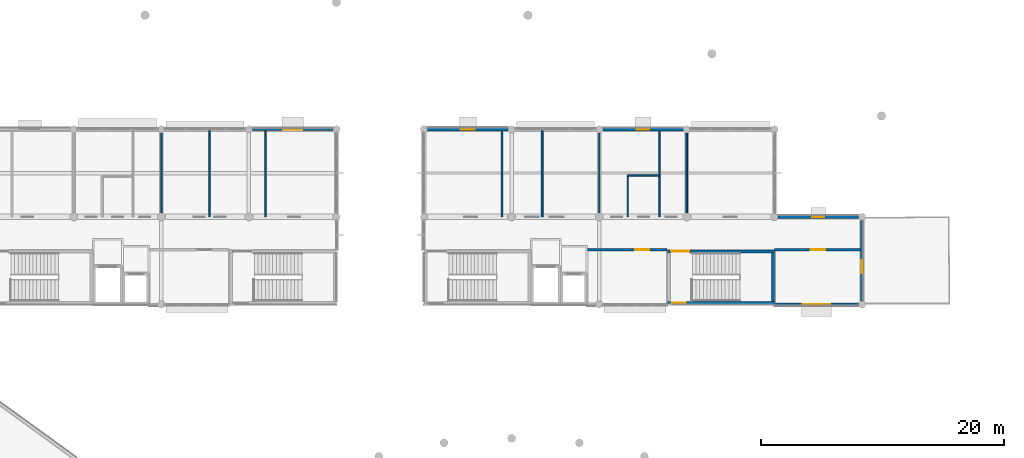
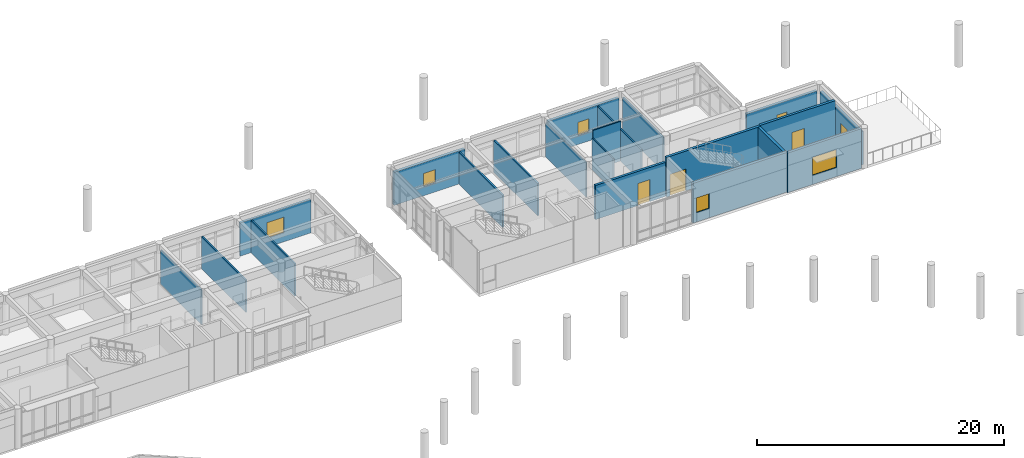
# One storey, part 28 of 55: 21 walls, 6 windows, 4 doors, 10 openings.
"""IFC4 building model written with IfcOpenShell, lengths in metres."""

from ifc_helpers import new_model, si_unit, direction, frame, frame_2d, origin, place, context, subcontext, project, spatial, rectangle, extrude, material, layer, layer_set, type_object, element, fill, save


model = new_model("IFC4")

# Units and contexts
model_context = context("Model", 3, precision=1e-05, world=origin(), true_north=direction((0.0, 1.0)))
body_context = subcontext(model_context, "Body", "Model", "MODEL_VIEW")
ifc_project = project(units=[si_unit("LENGTHUNIT", "METRE"), si_unit("AREAUNIT", "SQUARE_METRE"), si_unit("VOLUMEUNIT", "CUBIC_METRE"), si_unit("PLANEANGLEUNIT", "RADIAN"), si_unit("MASSUNIT", "GRAM", prefix="KILO")], contexts=[model_context])

# Site, building, storey
site_placement = place(None, origin())
site = spatial("IfcSite", under=ifc_project, at=site_placement, CompositionType="ELEMENT")
building_placement = place(site_placement, origin())
building = spatial("IfcBuilding", under=site, at=building_placement, Name="Namkhue Oval Health Centre", CompositionType="ELEMENT")
storey_placement = place(building_placement, frame((0.0, 0.0, 9.60009765625)))
storey = spatial("IfcBuildingStorey", under=building, at=storey_placement, Name="L02", CompositionType="ELEMENT", Elevation=9.60009765625)

# Wall, opening, window
ifc_material_1 = material(Name="Autoclaved aerated concrete blockwork M7.5", Category="masonry")
ifc_layer_1 = layer(ifc_material_1, 0.2099609375)
ifc_layer_set_1 = layer_set([ifc_layer_1], Name="Autoclaved aerated concrete blockwork M7.5")
wall_type_1 = type_object("IfcWallType", Name="EXTERIOR ENVELOPE WALL 210", PredefinedType="STANDARD", material=ifc_layer_set_1)
wall_1_placement = place(storey_placement, frame((86.10498046875, 104.39990234375, 0.0), z_axis=(0.0, 0.0, 1.0), x_axis=(-1.0, 0.0, 0.0)))
wall_1 = element("IfcWall", 1, at=wall_1_placement, inside=storey, type_object=wall_type_1, Name="Volume V2 L02 Exterior Envelope Wall 36", PredefinedType="STANDARD", context=body_context, shape_type="SweptSolid", body=[
    extrude(rectangle(XDim=6.60986328125, YDim=0.2099609375, at=frame_2d((3.304931640625, 0.0))), origin(), (0.0, 0.0, 1.0), 3.2998046875),
])
opening_1_placement = place(wall_1_placement, frame((2.530029296875, 0.0, 0.89990234375)))
opening_1 = element("IfcOpeningElement", 2, at=opening_1_placement, cuts=wall_1, Name="Opening WN-25", PredefinedType="OPENING", context=body_context, shape_type="SweptSolid", body=[
    extrude(rectangle(XDim=1.550048828125, YDim=1.5400390625, at=frame_2d((0.77490234375, 0.77001953125))), frame((0.0, 0.114990234375, 0.0), z_axis=(0.0, -1.0, 0.0), x_axis=(1.0, 0.0, 0.0)), (0.0, 0.0, 1.0), 0.22998046875),
])
ifc_material_2 = material(Name="Thermally broken low-E laminated double glazing", Category="glass")
window_type_1 = type_object("IfcWindowType", Name="EXTERIOR WINDOW 1550X1540", PartitioningType="SINGLE_PANEL", PredefinedType="WINDOW", material=ifc_material_2)
window_1_placement = place(opening_1_placement, origin())
window_1 = element("IfcWindow", 3, at=window_1_placement, inside=storey, type_object=window_type_1, Name="Volume V2 L02 Exterior Window 25", OverallHeight=1.5400390625, OverallWidth=1.550048828125, PartitioningType="SINGLE_PANEL", PredefinedType="WINDOW", context=body_context, shape_type="SweptSolid", body=[
    extrude(rectangle(XDim=1.550048828125, YDim=1.5400390625, at=frame_2d((0.77490234375, 0.77001953125))), frame((0.0, 0.030029296875, 0.0), z_axis=(0.0, -1.0, 0.0), x_axis=(1.0, 0.0, 0.0)), (0.0, 0.0, 1.0), 0.06005859375),
])
fill(opening_1, window_1)

ifc_layer_2 = layer(ifc_material_1, 0.219970703125)
ifc_layer_set_2 = layer_set([ifc_layer_2], Name="Autoclaved aerated concrete blockwork M7.5")
wall_type_2 = type_object("IfcWallType", Name="EXTERIOR ENVELOPE WALL 220", PredefinedType="STANDARD", material=ifc_layer_set_2)
wall_2_placement = place(storey_placement, frame((122.402099609375, 90.0, 0.0), z_axis=(0.0, 0.0, 1.0), x_axis=(1.0, 0.0, 0.0)))
wall_2 = element("IfcWall", 4, at=wall_2_placement, inside=storey, type_object=wall_type_2, Name="Volume V3 L02 Exterior Envelope Wall 69", PredefinedType="STANDARD", context=body_context, shape_type="SweptSolid", body=[
    extrude(rectangle(XDim=6.90283203125, YDim=0.219970703125, at=frame_2d((3.451416015625, 0.0))), origin(), (0.0, 0.0, 1.0), 3.9248046875),
])
opening_2_placement = place(wall_2_placement, frame((2.326416015625, 0.0, 0.89990234375)))
opening_2 = element("IfcOpeningElement", 5, at=opening_2_placement, cuts=wall_2, Name="Opening WN-45", PredefinedType="OPENING", context=body_context, shape_type="SweptSolid", body=[
    extrude(rectangle(XDim=2.25, YDim=1.780029296875, at=frame_2d((1.125, 0.89013671875))), frame((0.0, 0.119873046875, 0.0), z_axis=(0.0, -1.0, 0.0), x_axis=(1.0, 0.0, 0.0)), (0.0, 0.0, 1.0), 0.239990234375),
])
window_type_2 = type_object("IfcWindowType", Name="EXTERIOR WINDOW 2250X1780", PartitioningType="SINGLE_PANEL", PredefinedType="WINDOW", material=ifc_material_2)
window_2_placement = place(opening_2_placement, origin())
window_2 = element("IfcWindow", 6, at=window_2_placement, inside=storey, type_object=window_type_2, Name="Volume V3 L02 Exterior Window 45", OverallHeight=1.780029296875, OverallWidth=2.25, PartitioningType="SINGLE_PANEL", PredefinedType="WINDOW", context=body_context, shape_type="SweptSolid", body=[
    extrude(rectangle(XDim=2.25, YDim=1.780029296875, at=frame_2d((1.125, 0.89013671875))), frame((0.0, 0.030029296875, 0.0), z_axis=(0.0, -1.0, 0.0), x_axis=(1.0, 0.0, 0.0)), (0.0, 0.0, 1.0), 0.06005859375),
])
fill(opening_2, window_2)

# Wall, opening, door
ifc_layer_3 = layer(ifc_material_1, 0.22998046875)
ifc_layer_set_3 = layer_set([ifc_layer_3], Name="Autoclaved aerated concrete blockwork M7.5")
wall_type_3 = type_object("IfcWallType", Name="EXTERIOR ENVELOPE WALL 230", PredefinedType="STANDARD", material=ifc_layer_set_3)
wall_3_placement = place(storey_placement, frame((129.60009765625, 90.294921875, 0.0), z_axis=(0.0, 0.0, 1.0), x_axis=(0.0, 1.0, 0.0)))
wall_3 = element("IfcWall", 7, at=wall_3_placement, inside=storey, type_object=wall_type_3, Name="Volume V3 L02 Exterior Envelope Wall 70", PredefinedType="STANDARD", context=body_context, shape_type="SweptSolid", body=[
    extrude(rectangle(XDim=6.610107421875, YDim=0.22998046875, at=frame_2d((3.30517578125, 0.0))), origin(), (0.0, 0.0, 1.0), 3.307861328125),
])
opening_3_placement = place(wall_3_placement, frame((2.2548828125, 0.0, 0.0)))
opening_3 = element("IfcOpeningElement", 8, at=opening_3_placement, cuts=wall_3, Name="Opening TD-06", PredefinedType="OPENING", context=body_context, shape_type="SweptSolid", body=[
    extrude(rectangle(XDim=1.10009765625, YDim=2.1201171875, at=frame_2d((0.550048828125, 1.06005859375))), frame((0.0, 0.125, 0.0), z_axis=(0.0, -1.0, 0.0), x_axis=(1.0, 0.0, 0.0)), (0.0, 0.0, 1.0), 0.25),
])
ifc_material_3 = material(Name="Anodised aluminium glazed entrance door", Category="aluminium")
door_type_1 = type_object("IfcDoorType", Name="TERRACE DOOR 1100X2120", OperationType="NOTDEFINED", PredefinedType="DOOR", material=ifc_material_3)
door_1_placement = place(opening_3_placement, frame((1.10009765625, 0.0, 0.0), z_axis=(0.0, 0.0, 1.0), x_axis=(-1.0, 0.0, 0.0)))
door_1 = element("IfcDoor", 9, at=door_1_placement, inside=storey, type_object=door_type_1, Name="Volume V3 L02 Roof Terrace Door 6", OperationType="SINGLE_SWING_RIGHT", OverallHeight=2.1201171875, OverallWidth=1.10009765625, PredefinedType="DOOR", context=body_context, shape_type="SweptSolid", body=[
    extrude(rectangle(XDim=1.10009765625, YDim=2.1201171875, at=frame_2d((0.550048828125, 1.06005859375))), frame((0.0, 0.02490234375, 0.0), z_axis=(0.0, -1.0, 0.0), x_axis=(1.0, 0.0, 0.0)), (0.0, 0.0, 1.0), 0.050048828125),
])
fill(opening_3, door_1)

# Wall, opening, window
ifc_layer_4 = layer(ifc_material_1, 0.239990234375)
ifc_layer_set_4 = layer_set([ifc_layer_4], Name="Autoclaved aerated concrete blockwork M7.5")
wall_type_4 = type_object("IfcWallType", Name="EXTERIOR ENVELOPE WALL 240", PredefinedType="STANDARD", material=ifc_layer_set_4)
wall_4_placement = place(storey_placement, frame((129.304931640625, 97.199951171875, 0.0), z_axis=(0.0, 0.0, 1.0), x_axis=(-1.0, 0.0, 0.0)))
wall_4 = element("IfcWall", 10, at=wall_4_placement, inside=storey, type_object=wall_type_4, Name="Volume V3 L02 Exterior Envelope Wall 71", PredefinedType="STANDARD", context=body_context, shape_type="SweptSolid", body=[
    extrude(rectangle(XDim=6.60986328125, YDim=0.239990234375, at=frame_2d((3.304931640625, 0.0))), origin(), (0.0, 0.0, 1.0), 3.307861328125),
])
opening_4_placement = place(wall_4_placement, frame((2.830078125, 0.0, 0.89990234375)))
opening_4 = element("IfcOpeningElement", 11, at=opening_4_placement, cuts=wall_4, Name="Opening WN-01", PredefinedType="OPENING", context=body_context, shape_type="SweptSolid", body=[
    extrude(rectangle(XDim=0.949951171875, YDim=1.300048828125, at=frame_2d((0.47509765625, 0.64990234375))), frame((0.0, 0.1298828125, 0.0), z_axis=(0.0, -1.0, 0.0), x_axis=(1.0, 0.0, 0.0)), (0.0, 0.0, 1.0), 0.260009765625),
])
window_type_3 = type_object("IfcWindowType", Name="EXTERIOR WINDOW 950X1300", PartitioningType="SINGLE_PANEL", PredefinedType="WINDOW", material=ifc_material_2)
window_3_placement = place(opening_4_placement, origin())
window_3 = element("IfcWindow", 12, at=window_3_placement, inside=storey, type_object=window_type_3, Name="Volume V3 L02 Exterior Window 46", OverallHeight=1.300048828125, OverallWidth=0.949951171875, PartitioningType="SINGLE_PANEL", PredefinedType="WINDOW", context=body_context, shape_type="SweptSolid", body=[
    extrude(rectangle(XDim=0.949951171875, YDim=1.300048828125, at=frame_2d((0.47509765625, 0.64990234375))), frame((0.0, 0.030029296875, 0.0), z_axis=(0.0, -1.0, 0.0), x_axis=(1.0, 0.0, 0.0)), (0.0, 0.0, 1.0), 0.06005859375),
])
fill(opening_4, window_3)

ifc_layer_5 = layer(ifc_material_1, 0.25)
ifc_layer_set_5 = layer_set([ifc_layer_5], Name="Autoclaved aerated concrete blockwork M7.5")
wall_type_5 = type_object("IfcWallType", Name="EXTERIOR ENVELOPE WALL 250", PredefinedType="STANDARD", material=ifc_layer_set_5)
wall_5_placement = place(storey_placement, frame((114.905029296875, 104.39990234375, 0.0), z_axis=(0.0, 0.0, 1.0), x_axis=(-1.0, 0.0, 0.0)))
wall_5 = element("IfcWall", 13, at=wall_5_placement, inside=storey, type_object=wall_type_5, Name="Volume V3 L02 Exterior Envelope Wall 72", PredefinedType="STANDARD", context=body_context, shape_type="SweptSolid", body=[
    extrude(rectangle(XDim=6.610107421875, YDim=0.25, at=frame_2d((3.30517578125, 0.0))), origin(), (0.0, 0.0, 1.0), 3.27490234375),
])
opening_5_placement = place(wall_5_placement, frame((2.780029296875, 0.0, 0.89990234375)))
opening_5 = element("IfcOpeningElement", 14, at=opening_5_placement, cuts=wall_5, Name="Opening WN-02", PredefinedType="OPENING", context=body_context, shape_type="SweptSolid", body=[
    extrude(rectangle(XDim=1.050048828125, YDim=1.300048828125, at=frame_2d((0.52490234375, 0.64990234375))), frame((0.0, 0.135009765625, 0.0), z_axis=(0.0, -1.0, 0.0), x_axis=(1.0, 0.0, 0.0)), (0.0, 0.0, 1.0), 0.27001953125),
])
window_type_4 = type_object("IfcWindowType", Name="EXTERIOR WINDOW 1050X1300", PartitioningType="SINGLE_PANEL", PredefinedType="WINDOW", material=ifc_material_2)
window_4_placement = place(opening_5_placement, origin())
window_4 = element("IfcWindow", 15, at=window_4_placement, inside=storey, type_object=window_type_4, Name="Volume V3 L02 Exterior Window 47", OverallHeight=1.300048828125, OverallWidth=1.050048828125, PartitioningType="SINGLE_PANEL", PredefinedType="WINDOW", context=body_context, shape_type="SweptSolid", body=[
    extrude(rectangle(XDim=1.050048828125, YDim=1.300048828125, at=frame_2d((0.52490234375, 0.64990234375))), frame((0.0, 0.030029296875, 0.0), z_axis=(0.0, -1.0, 0.0), x_axis=(1.0, 0.0, 0.0)), (0.0, 0.0, 1.0), 0.06005859375),
])
fill(opening_5, window_4)

ifc_layer_6 = layer(ifc_material_1, 0.260009765625)
ifc_layer_set_6 = layer_set([ifc_layer_6], Name="Autoclaved aerated concrete blockwork M7.5")
wall_type_6 = type_object("IfcWallType", Name="EXTERIOR ENVELOPE WALL 260", PredefinedType="STANDARD", material=ifc_layer_set_6)
wall_6_placement = place(storey_placement, frame((100.5048828125, 104.39990234375, 0.0), z_axis=(0.0, 0.0, 1.0), x_axis=(-1.0, 0.0, 0.0)))
wall_6 = element("IfcWall", 16, at=wall_6_placement, inside=storey, type_object=wall_type_6, Name="Volume V3 L02 Exterior Envelope Wall 73", PredefinedType="STANDARD", context=body_context, shape_type="SweptSolid", body=[
    extrude(rectangle(XDim=6.60986328125, YDim=0.260009765625, at=frame_2d((3.304931640625, 0.0))), origin(), (0.0, 0.0, 1.0), 3.27490234375),
])
opening_6_placement = place(wall_6_placement, frame((2.72998046875, 0.0, 0.89990234375)))
opening_6 = element("IfcOpeningElement", 17, at=opening_6_placement, cuts=wall_6, Name="Opening WN-03", PredefinedType="OPENING", context=body_context, shape_type="SweptSolid", body=[
    extrude(rectangle(XDim=1.14990234375, YDim=1.300048828125, at=frame_2d((0.574951171875, 0.64990234375))), frame((0.0, 0.139892578125, 0.0), z_axis=(0.0, -1.0, 0.0), x_axis=(1.0, 0.0, 0.0)), (0.0, 0.0, 1.0), 0.280029296875),
])
window_type_5 = type_object("IfcWindowType", Name="EXTERIOR WINDOW 1150X1300", PartitioningType="SINGLE_PANEL", PredefinedType="WINDOW", material=ifc_material_2)
window_5_placement = place(opening_6_placement, origin())
window_5 = element("IfcWindow", 18, at=window_5_placement, inside=storey, type_object=window_type_5, Name="Volume V3 L02 Exterior Window 48", OverallHeight=1.300048828125, OverallWidth=1.14990234375, PartitioningType="SINGLE_PANEL", PredefinedType="WINDOW", context=body_context, shape_type="SweptSolid", body=[
    extrude(rectangle(XDim=1.14990234375, YDim=1.300048828125, at=frame_2d((0.574951171875, 0.64990234375))), frame((0.0, 0.030029296875, 0.0), z_axis=(0.0, -1.0, 0.0), x_axis=(1.0, 0.0, 0.0)), (0.0, 0.0, 1.0), 0.06005859375),
])
fill(opening_6, window_5)

# Wall, opening, door
ifc_material_4 = material(Name="Lead-lined barium plasterboard radiation partition", Category="gypsum")
ifc_layer_7 = layer(ifc_material_4, 0.22509765625)
ifc_layer_set_7 = layer_set([ifc_layer_7], Name="Lead-lined barium plasterboard radiation partition")
wall_type_7 = type_object("IfcWallType", Name="FIRE PARTITION WALL 225", PredefinedType="PARTITIONING", material=ifc_layer_set_7)
wall_7_placement = place(storey_placement, frame((107.02001953125, 94.5, 0.0), z_axis=(0.0, 0.0, 1.0), x_axis=(1.0, 0.0, 0.0)))
wall_7 = element("IfcWall", 19, at=wall_7_placement, inside=storey, type_object=wall_type_7, Name="Volume V3 L02 Clinical Partition Wall 132", PredefinedType="PARTITIONING", context=body_context, shape_type="SweptSolid", body=[
    extrude(rectangle(XDim=6.56005859375, YDim=0.22509765625, at=frame_2d((3.280029296875, 0.0))), origin(), (0.0, 0.0, 1.0), 3.375),
])
opening_7_placement = place(wall_7_placement, frame((3.955078125, 0.0, 0.0)))
opening_7 = element("IfcOpeningElement", 20, at=opening_7_placement, cuts=wall_7, Name="Opening CD-17", PredefinedType="OPENING", context=body_context, shape_type="SweptSolid", body=[
    extrude(rectangle(XDim=1.1298828125, YDim=2.179931640625, at=frame_2d((0.56494140625, 1.08984375))), frame((0.0, 0.12255859375, 0.0), z_axis=(0.0, -1.0, 0.0), x_axis=(1.0, 0.0, 0.0)), (0.0, 0.0, 1.0), 0.2451171875),
])
ifc_material_5 = material(Name="High-pressure laminate timber clinical door", Category="wood")
door_type_2 = type_object("IfcDoorType", Name="CLINICAL DOOR 1130X2180", OperationType="NOTDEFINED", PredefinedType="DOOR", material=ifc_material_5)
door_2_placement = place(opening_7_placement, frame((1.1298828125, 0.0, 0.0), z_axis=(0.0, 0.0, 1.0), x_axis=(-1.0, 0.0, 0.0)))
door_2 = element("IfcDoor", 21, at=door_2_placement, inside=storey, type_object=door_type_2, Name="Volume V3 L02 East Terrace Recovery Lounge Door 111", OperationType="SINGLE_SWING_LEFT", OverallHeight=2.179931640625, OverallWidth=1.1298828125, PredefinedType="DOOR", context=body_context, shape_type="SweptSolid", body=[
    extrude(rectangle(XDim=1.1298828125, YDim=2.179931640625, at=frame_2d((0.56494140625, 1.08984375))), frame((0.0, 0.02490234375, 0.0), z_axis=(0.0, -1.0, 0.0), x_axis=(1.0, 0.0, 0.0)), (0.0, 0.0, 1.0), 0.050048828125),
])
fill(opening_7, door_2)

ifc_layer_8 = layer(ifc_material_4, 0.235107421875)
ifc_layer_set_8 = layer_set([ifc_layer_8], Name="Lead-lined barium plasterboard radiation partition")
wall_type_8 = type_object("IfcWallType", Name="FIRE PARTITION WALL 235", PredefinedType="PARTITIONING", material=ifc_layer_set_8)
wall_8_placement = place(storey_placement, frame((122.419921875, 94.5, 0.0), z_axis=(0.0, 0.0, 1.0), x_axis=(1.0, 0.0, 0.0)))
wall_8 = element("IfcWall", 22, at=wall_8_placement, inside=storey, type_object=wall_type_8, Name="Volume V3 L02 Clinical Partition Wall 133", PredefinedType="PARTITIONING", context=body_context, shape_type="SweptSolid", body=[
    extrude(rectangle(XDim=7.04296875, YDim=0.235107421875, at=frame_2d((3.521484375, 0.0))), origin(), (0.0, 0.0, 1.0), 3.9248046875),
])
opening_8_placement = place(wall_8_placement, frame((2.95703125, 0.0, 0.0)))
opening_8 = element("IfcOpeningElement", 23, at=opening_8_placement, cuts=wall_8, Name="Opening CD-18", PredefinedType="OPENING", context=body_context, shape_type="SweptSolid", body=[
    extrude(rectangle(XDim=1.179931640625, YDim=2.179931640625, at=frame_2d((0.58984375, 1.08984375))), frame((0.0, 0.12744140625, 0.0), z_axis=(0.0, -1.0, 0.0), x_axis=(1.0, 0.0, 0.0)), (0.0, 0.0, 1.0), 0.255126953125),
])
door_type_3 = type_object("IfcDoorType", Name="CLINICAL DOOR 1180X2180", OperationType="NOTDEFINED", PredefinedType="DOOR", material=ifc_material_5)
door_3_placement = place(opening_8_placement, frame((1.179931640625, 0.0, 0.0), z_axis=(0.0, 0.0, 1.0), x_axis=(-1.0, 0.0, 0.0)))
door_3 = element("IfcDoor", 24, at=door_3_placement, inside=storey, type_object=door_type_3, Name="Volume V3 L02 Hepatology Consultation Suite Door 112", OperationType="SINGLE_SWING_RIGHT", OverallHeight=2.179931640625, OverallWidth=1.179931640625, PredefinedType="DOOR", context=body_context, shape_type="SweptSolid", body=[
    extrude(rectangle(XDim=1.179931640625, YDim=2.179931640625, at=frame_2d((0.58984375, 1.08984375))), frame((0.0, 0.02490234375, 0.0), z_axis=(0.0, -1.0, 0.0), x_axis=(1.0, 0.0, 0.0)), (0.0, 0.0, 1.0), 0.050048828125),
])
fill(opening_8, door_3)

# Walls
ifc_material_6 = material(Name="Gypsum plasterboard acoustic partition", Category="gypsum")
ifc_layer_9 = layer(ifc_material_6, 0.10009765625)
ifc_layer_set_9 = layer_set([ifc_layer_9], Name="Gypsum plasterboard acoustic partition")
wall_type_9 = type_object("IfcWallType", Name="INTERIOR PARTITION WALL 100", PredefinedType="PARTITIONING", material=ifc_layer_set_9)
wall_9_placement = place(storey_placement, frame((108.0, 97.52490234375, 0.0), z_axis=(0.0, 0.0, 1.0), x_axis=(0.0, 1.0, 0.0)))
element("IfcWall", 25, at=wall_9_placement, inside=storey, type_object=wall_type_9, Name="Volume V3 L02 Clinical Partition Wall 127", PredefinedType="PARTITIONING", context=body_context, shape_type="SweptSolid", body=[
    extrude(rectangle(XDim=6.5751953125, YDim=0.10009765625, at=frame_2d((3.28759765625, 0.0))), origin(), (0.0, 0.0, 1.0), 3.375),
])
ifc_layer_10 = layer(ifc_material_6, 0.110107421875)
ifc_layer_set_10 = layer_set([ifc_layer_10], Name="Gypsum plasterboard acoustic partition")
wall_type_10 = type_object("IfcWallType", Name="INTERIOR PARTITION WALL 110", PredefinedType="PARTITIONING", material=ifc_layer_set_10)
wall_10_placement = place(storey_placement, frame((110.340087890625, 97.199951171875, 0.0), z_axis=(0.0, 0.0, 1.0), x_axis=(0.0, 1.0, 0.0)))
element("IfcWall", 26, at=wall_10_placement, inside=storey, type_object=wall_type_10, Name="Volume V3 L02 Clinical Partition Wall 128", PredefinedType="PARTITIONING", context=body_context, shape_type="SweptSolid", body=[
    extrude(rectangle(XDim=3.400146484375, YDim=0.110107421875, at=frame_2d((1.7001953125, 0.0))), origin(), (0.0, 0.0, 1.0), 3.1748046875),
])
ifc_layer_11 = layer(ifc_material_6, 0.1201171875)
ifc_layer_set_11 = layer_set([ifc_layer_11], Name="Gypsum plasterboard acoustic partition")
wall_type_11 = type_object("IfcWallType", Name="INTERIOR PARTITION WALL 120", PredefinedType="PARTITIONING", material=ifc_layer_set_11)
wall_11_placement = place(storey_placement, frame((72.0, 97.52490234375, 0.0), z_axis=(0.0, 0.0, 1.0), x_axis=(0.0, 1.0, 0.0)))
element("IfcWall", 27, at=wall_11_placement, inside=storey, type_object=wall_type_11, Name="Volume V2 L02 Clinical Partition Wall 66", PredefinedType="PARTITIONING", context=body_context, shape_type="SweptSolid", body=[
    extrude(rectangle(XDim=6.5751953125, YDim=0.1201171875, at=frame_2d((3.28759765625, 0.0))), origin(), (0.0, 0.0, 1.0), 3.39990234375),
])
wall_12_placement = place(storey_placement, frame((110.340087890625, 100.60009765625, 0.0), z_axis=(0.0, 0.0, 1.0), x_axis=(1.0, 0.0, 0.0)))
element("IfcWall", 28, at=wall_12_placement, inside=storey, type_object=wall_type_11, Name="Volume V3 L02 Clinical Partition Wall 129", PredefinedType="PARTITIONING", context=body_context, shape_type="SweptSolid", body=[
    extrude(rectangle(XDim=2.619873046875, YDim=0.1201171875, at=frame_2d((1.31005859375, 0.0))), origin(), (0.0, 0.0, 1.0), 3.9248046875),
])
ifc_layer_12 = layer(ifc_material_6, 0.1298828125)
ifc_layer_set_12 = layer_set([ifc_layer_12], Name="Gypsum plasterboard acoustic partition")
wall_type_12 = type_object("IfcWallType", Name="INTERIOR PARTITION WALL 130", PredefinedType="PARTITIONING", material=ifc_layer_set_12)
wall_13_placement = place(storey_placement, frame((75.97705078125, 97.199951171875, 0.0), z_axis=(0.0, 0.0, 1.0), x_axis=(0.0, 1.0, 0.0)))
element("IfcWall", 29, at=wall_13_placement, inside=storey, type_object=wall_type_12, Name="Volume V2 L02 Clinical Partition Wall 67", PredefinedType="PARTITIONING", context=body_context, shape_type="SweptSolid", body=[
    extrude(rectangle(XDim=7.16015625, YDim=0.1298828125, at=frame_2d((3.580078125, 0.0))), origin(), (0.0, 0.0, 1.0), 3.199951171875),
])
wall_14_placement = place(storey_placement, frame((112.9599609375, 97.199951171875, 0.0), z_axis=(0.0, 0.0, 1.0), x_axis=(0.0, 1.0, 0.0)))
element("IfcWall", 30, at=wall_14_placement, inside=storey, type_object=wall_type_12, Name="Volume V3 L02 Clinical Partition Wall 130", PredefinedType="PARTITIONING", context=body_context, shape_type="SweptSolid", body=[
    extrude(rectangle(XDim=7.052978515625, YDim=0.1298828125, at=frame_2d((3.5263671875, 0.0))), origin(), (0.0, 0.0, 1.0), 3.1748046875),
])
ifc_layer_13 = layer(ifc_material_6, 0.139892578125)
ifc_layer_set_13 = layer_set([ifc_layer_13], Name="Gypsum plasterboard acoustic partition")
wall_type_13 = type_object("IfcWallType", Name="INTERIOR PARTITION WALL 140", PredefinedType="PARTITIONING", material=ifc_layer_set_13)
wall_15_placement = place(storey_placement, frame((80.576904296875, 97.199951171875, 0.0), z_axis=(0.0, 0.0, 1.0), x_axis=(0.0, 1.0, 0.0)))
element("IfcWall", 31, at=wall_15_placement, inside=storey, type_object=wall_type_13, Name="Volume V2 L02 Clinical Partition Wall 68", PredefinedType="PARTITIONING", context=body_context, shape_type="SweptSolid", body=[
    extrude(rectangle(XDim=7.072998046875, YDim=0.139892578125, at=frame_2d((3.53662109375, 0.0))), origin(), (0.0, 0.0, 1.0), 3.199951171875),
])
wall_16_placement = place(storey_placement, frame((115.199951171875, 97.52490234375, 0.0), z_axis=(0.0, 0.0, 1.0), x_axis=(0.0, 1.0, 0.0)))
element("IfcWall", 32, at=wall_16_placement, inside=storey, type_object=wall_type_13, Name="Volume V3 L02 Clinical Partition Wall 131", PredefinedType="PARTITIONING", context=body_context, shape_type="SweptSolid", body=[
    extrude(rectangle(XDim=6.5751953125, YDim=0.139892578125, at=frame_2d((3.28759765625, 0.0))), origin(), (0.0, 0.0, 1.0), 3.375),
])
ifc_layer_14 = layer(ifc_material_6, 0.14990234375)
ifc_layer_set_14 = layer_set([ifc_layer_14], Name="Gypsum plasterboard acoustic partition")
wall_type_14 = type_object("IfcWallType", Name="INTERIOR PARTITION WALL 150", PredefinedType="PARTITIONING", material=ifc_layer_set_14)
wall_17_placement = place(storey_placement, frame((100.007080078125, 97.199951171875, 0.0), z_axis=(0.0, 0.0, 1.0), x_axis=(0.0, 1.0, 0.0)))
element("IfcWall", 33, at=wall_17_placement, inside=storey, type_object=wall_type_14, Name="Volume V3 L02 Clinical Partition Wall 125", PredefinedType="PARTITIONING", context=body_context, shape_type="SweptSolid", body=[
    extrude(rectangle(XDim=7.048095703125, YDim=0.14990234375, at=frame_2d((3.52392578125, 0.0))), origin(), (0.0, 0.0, 1.0), 3.1748046875),
])
ifc_layer_15 = layer(ifc_material_6, 0.159912109375)
ifc_layer_set_15 = layer_set([ifc_layer_15], Name="Gypsum plasterboard acoustic partition")
wall_type_15 = type_object("IfcWallType", Name="INTERIOR PARTITION WALL 160", PredefinedType="PARTITIONING", material=ifc_layer_set_15)
wall_18_placement = place(storey_placement, frame((103.297119140625, 97.199951171875, 0.0), z_axis=(0.0, 0.0, 1.0), x_axis=(0.0, 1.0, 0.0)))
element("IfcWall", 34, at=wall_18_placement, inside=storey, type_object=wall_type_15, Name="Volume V3 L02 Clinical Partition Wall 126", PredefinedType="PARTITIONING", context=body_context, shape_type="SweptSolid", body=[
    extrude(rectangle(XDim=7.09423828125, YDim=0.159912109375, at=frame_2d((3.547119140625, 0.0))), origin(), (0.0, 0.0, 1.0), 3.1748046875),
])

# Wall, opening, window
ifc_material_7 = material(Name="Reinforced concrete C35/45 (TCVN B40)", Category="concrete")
ifc_layer_16 = layer(ifc_material_7, 0.25)
ifc_layer_set_16 = layer_set([ifc_layer_16], Name="Reinforced concrete C35/45 (TCVN B40)")
wall_type_16 = type_object("IfcWallType", Name="SHEAR CORE WALL EXT 250", PredefinedType="SHEAR", material=ifc_layer_set_16)
wall_19_placement = place(storey_placement, frame((113.60009765625, 90.125, 0.0), z_axis=(0.0, 0.0, 1.0), x_axis=(1.0, 0.0, 0.0)))
wall_19 = element("IfcWall", 35, at=wall_19_placement, inside=storey, type_object=wall_type_16, Name="Core SC-06 L02 Shear Wall S", PredefinedType="SHEAR", context=body_context, shape_type="SweptSolid", body=[
    extrude(rectangle(XDim=8.7998046875, YDim=0.25, at=frame_2d((4.39990234375, 0.0))), origin(), (0.0, 0.0, 1.0), 3.9248046875),
])
opening_9_placement = place(wall_19_placement, frame((0.35009765625, 0.0, 0.919921875)))
opening_9 = element("IfcOpeningElement", 36, at=opening_9_placement, cuts=wall_19, Name="Opening SWN-01", PredefinedType="OPENING", context=body_context, shape_type="SweptSolid", body=[
    extrude(rectangle(XDim=1.179931640625, YDim=1.47998046875, at=frame_2d((0.58984375, 0.739990234375))), frame((0.0, 0.135009765625, 0.0), z_axis=(0.0, -1.0, 0.0), x_axis=(1.0, 0.0, 0.0)), (0.0, 0.0, 1.0), 0.27001953125),
])
ifc_material_8 = material(Name="Fire-rated insulated safety double glazing", Category="glass")
window_type_6 = type_object("IfcWindowType", Name="EXTERIOR WINDOW STAIRWELL 1180X1480", PartitioningType="SINGLE_PANEL", PredefinedType="WINDOW", material=ifc_material_8)
window_6_placement = place(opening_9_placement, origin())
window_6 = element("IfcWindow", 37, at=window_6_placement, inside=storey, type_object=window_type_6, Name="Stair ST-06 L02 Stairwell Daylight Window", OverallHeight=1.47998046875, OverallWidth=1.179931640625, PartitioningType="SINGLE_PANEL", PredefinedType="WINDOW", context=body_context, shape_type="SweptSolid", body=[
    extrude(rectangle(XDim=1.179931640625, YDim=1.47998046875, at=frame_2d((0.58984375, 0.739990234375))), frame((0.0, 0.030029296875, 0.0), z_axis=(0.0, -1.0, 0.0), x_axis=(1.0, 0.0, 0.0)), (0.0, 0.0, 1.0), 0.06005859375),
])
fill(opening_9, window_6)

# Wall
ifc_layer_17 = layer(ifc_material_7, 0.25)
ifc_layer_set_17 = layer_set([ifc_layer_17], Name="Reinforced concrete C35/45 (TCVN B40)")
wall_type_17 = type_object("IfcWallType", Name="SHEAR CORE WALL INT 250", PredefinedType="SHEAR", material=ifc_layer_set_17)
wall_20_placement = place(storey_placement, frame((122.27490234375, 90.25, 0.0), z_axis=(0.0, 0.0, 1.0), x_axis=(0.0, 1.0, 0.0)))
element("IfcWall", 38, at=wall_20_placement, inside=storey, type_object=wall_type_17, Name="Core SC-06 L02 Shear Wall E", PredefinedType="SHEAR", context=body_context, shape_type="SweptSolid", body=[
    extrude(rectangle(XDim=4.0, YDim=0.25, at=frame_2d((2.0, 0.0))), origin(), (0.0, 0.0, 1.0), 3.9248046875),
])

# Wall, opening, door
wall_21_placement = place(storey_placement, frame((122.39990234375, 94.375, 0.0), z_axis=(0.0, 0.0, 1.0), x_axis=(-1.0, 0.0, 0.0)))
wall_21 = element("IfcWall", 39, at=wall_21_placement, inside=storey, type_object=wall_type_17, Name="Core SC-06 L02 Shear Wall N", PredefinedType="SHEAR", context=body_context, shape_type="SweptSolid", body=[
    extrude(rectangle(XDim=8.7998046875, YDim=0.25, at=frame_2d((4.39990234375, 0.0))), origin(), (0.0, 0.0, 1.0), 3.9248046875),
])
opening_10_placement = place(wall_21_placement, frame((7.0, 0.0, 0.0)))
opening_10 = element("IfcOpeningElement", 40, at=opening_10_placement, cuts=wall_21, Name="Opening SD-I1", PredefinedType="OPENING", context=body_context, shape_type="SweptSolid", body=[
    extrude(rectangle(XDim=1.5, YDim=2.14990234375, at=frame_2d((0.75, 1.074951171875))), frame((0.0, 0.135009765625, 0.0), z_axis=(0.0, -1.0, 0.0), x_axis=(1.0, 0.0, 0.0)), (0.0, 0.0, 1.0), 0.27001953125),
])
ifc_material_9 = material(Name="Powder-coated steel fire door assembly", Category="steel")
door_type_4 = type_object("IfcDoorType", Name="CLINICAL DOOR STAIR CORE 1500X2150", OperationType="DOUBLE_DOOR_SINGLE_SWING", PredefinedType="DOOR", material=ifc_material_9)
door_4_placement = place(opening_10_placement, origin())
door_4 = element("IfcDoor", 41, at=door_4_placement, inside=storey, type_object=door_type_4, Name="Stair ST-06 L02 Stair Enclosure Fire Door", OperationType="DOUBLE_DOOR_SINGLE_SWING", OverallHeight=2.14990234375, OverallWidth=1.5, PredefinedType="DOOR", context=body_context, shape_type="SweptSolid", body=[
    extrude(rectangle(XDim=1.5, YDim=2.14990234375, at=frame_2d((0.75, 1.074951171875))), frame((0.0, 0.02490234375, 0.0), z_axis=(0.0, -1.0, 0.0), x_axis=(1.0, 0.0, 0.0)), (0.0, 0.0, 1.0), 0.050048828125),
])
fill(opening_10, door_4)

save(model, "model.ifc")
